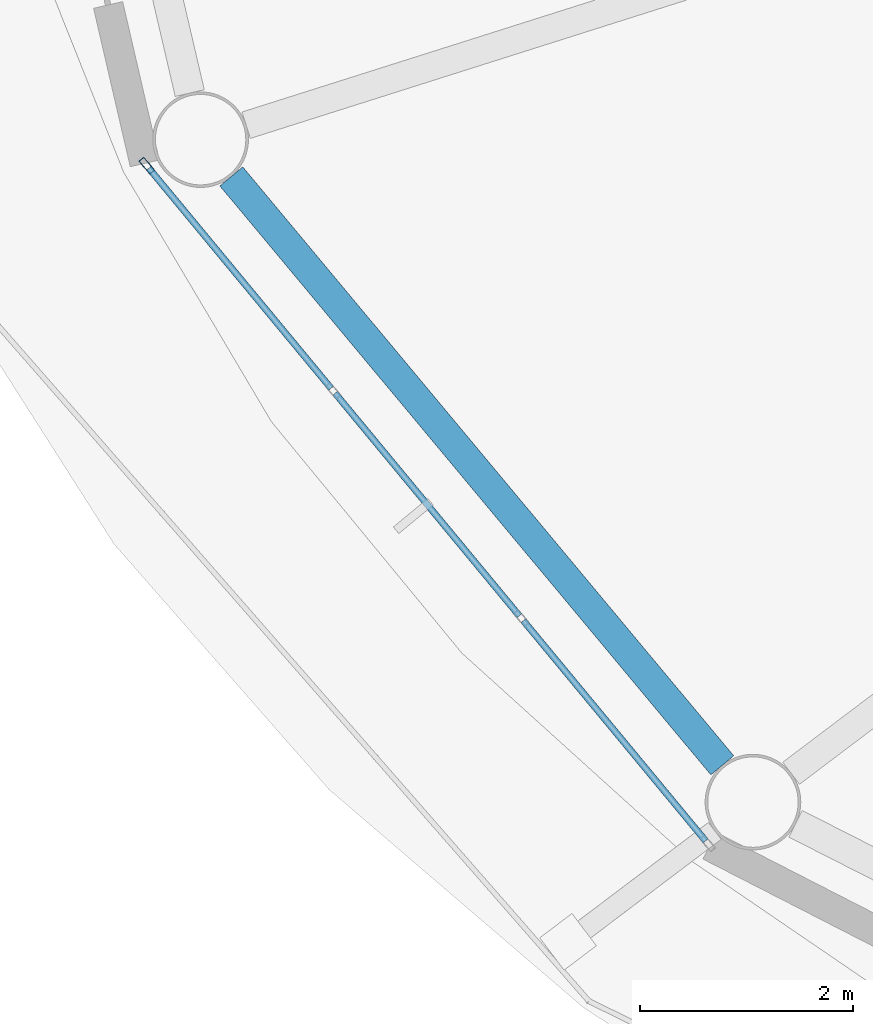
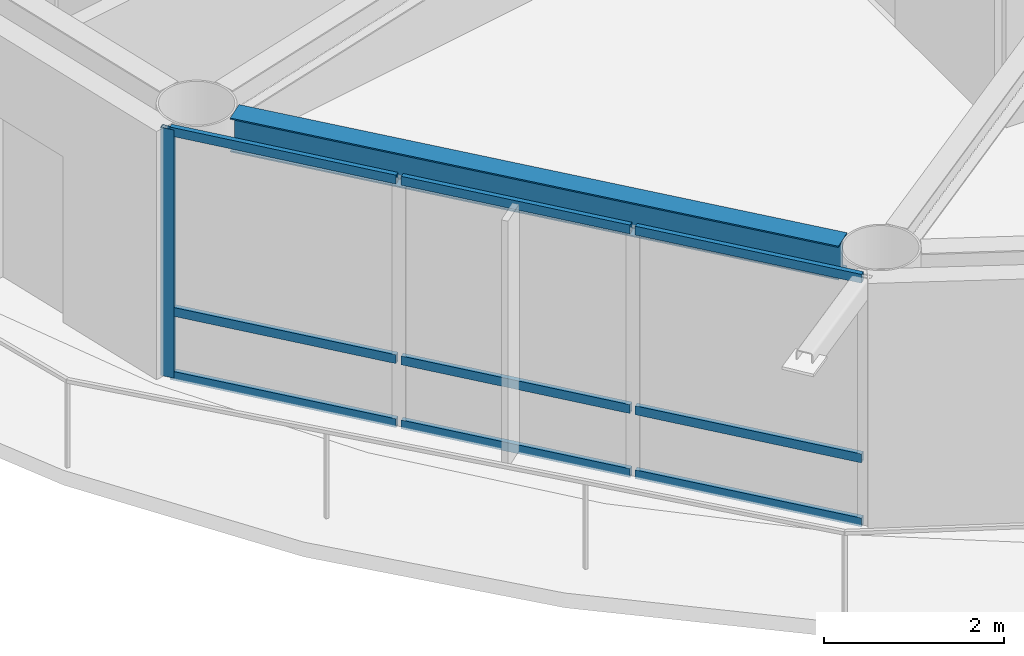
# One storey, part 3 of 21: 10 members, 1 beam, 1 element without a shape of its own.
"""IFC4 building model written with IfcOpenShell, lengths in metres."""

from ifc_helpers import new_model, si_unit, direction, frame, origin, origin_2d, place, context, subcontext, project, spatial, hollow_rectangle, i_section, extrude, material, layer, layer_set, material_profile, profile_set, type_object, element, aggregate, save


model = new_model("IFC4")

# Units and contexts
model_context = context("Model", 3, precision=1e-05, world=origin(), true_north=direction((0.0, 1.0)))
body_context = subcontext(model_context, "Body", "Model", "MODEL_VIEW")
ifc_project = project(units=[si_unit("LENGTHUNIT", "METRE"), si_unit("AREAUNIT", "SQUARE_METRE"), si_unit("VOLUMEUNIT", "CUBIC_METRE"), si_unit("PLANEANGLEUNIT", "RADIAN"), si_unit("MASSUNIT", "GRAM", prefix="KILO")], contexts=[model_context])

# Site, building, storey
site_placement = place(None, origin())
site = spatial("IfcSite", under=ifc_project, at=site_placement, CompositionType="ELEMENT")
building_placement = place(site_placement, origin())
building = spatial("IfcBuilding", under=site, at=building_placement, Name="Sarneth Arch Tower", CompositionType="ELEMENT")
storey_placement = place(building_placement, frame((0.0, 0.0, 309.0)))
storey = spatial("IfcBuildingStorey", under=building, at=storey_placement, Name="L80", CompositionType="ELEMENT", Elevation=309.0)

# Beam
ifc_material_1 = material(Name="Steel S355", Category="steel")
ifc_material_profile_1 = material_profile(ifc_material_1, i_section(OverallWidth=0.280029296875, OverallDepth=0.462890625, WebThickness=0.0107421875, FlangeThickness=0.017333984375, FilletRadius=0.01806640625, at=origin_2d()), Name="W460x113")
ifc_profile_set_1 = profile_set([ifc_material_profile_1], Name="Steel S355")
beam_type = type_object("IfcBeamType", Name="BM-RAD-460A", PredefinedType="BEAM", material=ifc_profile_set_1)
beam_placement = place(storey_placement, frame((25.119384765625, 34.306884765625, 3.138427734375), z_axis=(0.640390876881, -0.768049168222, 0.0), x_axis=(0.768049168222, 0.640390876881, 0.0)))
element("IfcBeam", 1, at=beam_placement, inside=storey, type_object=beam_type, Name="L80 Perimeter spandrel beam 10", PredefinedType="BEAM", context=body_context, shape_type="SweptSolid", body=[
    extrude(i_section(OverallWidth=0.280029296875, OverallDepth=0.462890625, WebThickness=0.0107421875, FlangeThickness=0.017333984375, FilletRadius=0.01806640625, at=origin_2d()), origin(), (0.0, 0.0, 1.0), 7.2099609375),
])

# Curtain wall, members
ifc_material_2 = material(Name="Anodised aluminium Type AA25 and solar-control low-e laminated IGU", Category="aluminium")
ifc_layer = layer(ifc_material_2, 0.179931640625)
ifc_layer_set = layer_set([ifc_layer], Name="Anodised aluminium Type AA25 and solar-control low-e laminated IGU")
curtain_wall_type = type_object("IfcCurtainWallType", Name="CW-RES-HIGH", PredefinedType="NOTDEFINED", material=ifc_layer_set)
curtain_wall_placement = place(storey_placement, origin())
curtain_wall = element("IfcCurtainWall", 2, at=curtain_wall_placement, inside=storey, type_object=curtain_wall_type, Name="L80 Unitised curtain wall facet 10", PredefinedType="NOTDEFINED")
ifc_material_3 = material(Name="Anodised Aluminium 6063-T6", Category="aluminium")
ifc_material_profile_2 = material_profile(ifc_material_3, hollow_rectangle(XDim=0.06005859375, YDim=0.159912109375, WallThickness=0.00390625, at=origin_2d()), Name="AL-MULL-160x60x4")
ifc_profile_set_2 = profile_set([ifc_material_profile_2], Name="Anodised Aluminium 6063-T6")
member_type_1 = type_object("IfcMemberType", Name="CW-MULLION", PredefinedType="MULLION", material=ifc_profile_set_2)
member_1_placement = place(storey_placement, frame((24.325439453125, 34.407470703125, 0.0), z_axis=(0.0, 0.0, 1.0), x_axis=(0.770359245933, 0.637610094184, 0.0)))
member_1 = element("IfcMember", 3, at=member_1_placement, type_object=member_type_1, Name="CW-SYS-6 mullion 1", PredefinedType="MULLION", context=body_context, shape_type="SweptSolid", body=[
    extrude(hollow_rectangle(XDim=0.06005859375, YDim=0.159912109375, WallThickness=0.00390625, at=origin_2d()), origin(), (0.0, 0.0, 1.0), 3.3701171875),
])
ifc_material_4 = material(Name="Anodised Aluminium 6063-T6", Category="aluminium")
ifc_material_profile_3 = material_profile(ifc_material_4, hollow_rectangle(XDim=0.06005859375, YDim=0.1201171875, WallThickness=0.00390625, at=origin_2d()), Name="AL-TRAN-120x60x4")
ifc_profile_set_3 = profile_set([ifc_material_profile_3], Name="Anodised Aluminium 6063-T6")
member_type_2 = type_object("IfcMemberType", Name="CW-TRANSOM", PredefinedType="USERDEFINED", material=ifc_profile_set_3)
member_2_placement = place(storey_placement, frame((24.344482421875, 34.38427734375, 0.030029296875), z_axis=(0.637651400067, -0.770325056059, 0.0), x_axis=(0.770325056059, 0.637651400067, 0.0)))
member_2 = element("IfcMember", 4, at=member_2_placement, type_object=member_type_2, Name="CW-SYS-6 transom 1.1", ObjectType="TRANSOM", PredefinedType="USERDEFINED", context=body_context, shape_type="SweptSolid", body=[
    extrude(hollow_rectangle(XDim=0.06005859375, YDim=0.1201171875, WallThickness=0.00390625, at=origin_2d()), origin(), (0.0, 0.0, 1.0), 2.6865234375),
])
member_3_placement = place(storey_placement, frame((24.344482421875, 34.38427734375, 0.89990234375), z_axis=(0.637651400067, -0.770325056059, 0.0), x_axis=(0.770325056059, 0.637651400067, 0.0)))
member_3 = element("IfcMember", 5, at=member_3_placement, type_object=member_type_2, Name="CW-SYS-6 transom 1.2", ObjectType="TRANSOM", PredefinedType="USERDEFINED", context=body_context, shape_type="SweptSolid", body=[
    extrude(hollow_rectangle(XDim=0.06005859375, YDim=0.1201171875, WallThickness=0.00390625, at=origin_2d()), origin(), (0.0, 0.0, 1.0), 2.6865234375),
])
member_4_placement = place(storey_placement, frame((24.344482421875, 34.38427734375, 3.340087890625), z_axis=(0.637651400067, -0.770325056059, 0.0), x_axis=(0.770325056059, 0.637651400067, 0.0)))
member_4 = element("IfcMember", 6, at=member_4_placement, type_object=member_type_2, Name="CW-SYS-6 transom 1.3", ObjectType="TRANSOM", PredefinedType="USERDEFINED", context=body_context, shape_type="SweptSolid", body=[
    extrude(hollow_rectangle(XDim=0.06005859375, YDim=0.1201171875, WallThickness=0.00390625, at=origin_2d()), origin(), (0.0, 0.0, 1.0), 2.6865234375),
])
member_5_placement = place(storey_placement, frame((26.095703125, 32.268310546875, 0.030029296875), z_axis=(0.637617371902, -0.770353222261, 0.0), x_axis=(0.770353222261, 0.637617371902, 0.0)))
member_5 = element("IfcMember", 7, at=member_5_placement, type_object=member_type_2, Name="CW-SYS-6 transom 2.1", ObjectType="TRANSOM", PredefinedType="USERDEFINED", context=body_context, shape_type="SweptSolid", body=[
    extrude(hollow_rectangle(XDim=0.06005859375, YDim=0.1201171875, WallThickness=0.00390625, at=origin_2d()), origin(), (0.0, 0.0, 1.0), 2.716552734375),
])
member_6_placement = place(storey_placement, frame((26.095703125, 32.268310546875, 0.89990234375), z_axis=(0.637617371902, -0.770353222261, 0.0), x_axis=(0.770353222261, 0.637617371902, 0.0)))
member_6 = element("IfcMember", 8, at=member_6_placement, type_object=member_type_2, Name="CW-SYS-6 transom 2.2", ObjectType="TRANSOM", PredefinedType="USERDEFINED", context=body_context, shape_type="SweptSolid", body=[
    extrude(hollow_rectangle(XDim=0.06005859375, YDim=0.1201171875, WallThickness=0.00390625, at=origin_2d()), origin(), (0.0, 0.0, 1.0), 2.716552734375),
])
member_7_placement = place(storey_placement, frame((26.095703125, 32.268310546875, 3.340087890625), z_axis=(0.637617371902, -0.770353222261, 0.0), x_axis=(0.770353222261, 0.637617371902, 0.0)))
member_7 = element("IfcMember", 9, at=member_7_placement, type_object=member_type_2, Name="CW-SYS-6 transom 2.3", ObjectType="TRANSOM", PredefinedType="USERDEFINED", context=body_context, shape_type="SweptSolid", body=[
    extrude(hollow_rectangle(XDim=0.06005859375, YDim=0.1201171875, WallThickness=0.00390625, at=origin_2d()), origin(), (0.0, 0.0, 1.0), 2.716552734375),
])
member_8_placement = place(storey_placement, frame((27.8662109375, 30.12939453125, 0.030029296875), z_axis=(0.637606765719, -0.770362000821, 0.0), x_axis=(0.770362000821, 0.637606765719, 0.0)))
member_8 = element("IfcMember", 10, at=member_8_placement, type_object=member_type_2, Name="CW-SYS-6 transom 3.1", ObjectType="TRANSOM", PredefinedType="USERDEFINED", context=body_context, shape_type="SweptSolid", body=[
    extrude(hollow_rectangle(XDim=0.06005859375, YDim=0.1201171875, WallThickness=0.00390625, at=origin_2d()), origin(), (0.0, 0.0, 1.0), 2.686767578125),
])
member_9_placement = place(storey_placement, frame((27.8662109375, 30.12939453125, 0.89990234375), z_axis=(0.637606765719, -0.770362000821, 0.0), x_axis=(0.770362000821, 0.637606765719, 0.0)))
member_9 = element("IfcMember", 11, at=member_9_placement, type_object=member_type_2, Name="CW-SYS-6 transom 3.2", ObjectType="TRANSOM", PredefinedType="USERDEFINED", context=body_context, shape_type="SweptSolid", body=[
    extrude(hollow_rectangle(XDim=0.06005859375, YDim=0.1201171875, WallThickness=0.00390625, at=origin_2d()), origin(), (0.0, 0.0, 1.0), 2.686767578125),
])
member_10_placement = place(storey_placement, frame((27.8662109375, 30.12939453125, 3.340087890625), z_axis=(0.637606765719, -0.770362000821, 0.0), x_axis=(0.770362000821, 0.637606765719, 0.0)))
member_10 = element("IfcMember", 12, at=member_10_placement, type_object=member_type_2, Name="CW-SYS-6 transom 3.3", ObjectType="TRANSOM", PredefinedType="USERDEFINED", context=body_context, shape_type="SweptSolid", body=[
    extrude(hollow_rectangle(XDim=0.06005859375, YDim=0.1201171875, WallThickness=0.00390625, at=origin_2d()), origin(), (0.0, 0.0, 1.0), 2.686767578125),
])
aggregate(curtain_wall, [member_1, member_2, member_3, member_4, member_5, member_6, member_7, member_8, member_9, member_10])

save(model, "model.ifc")
